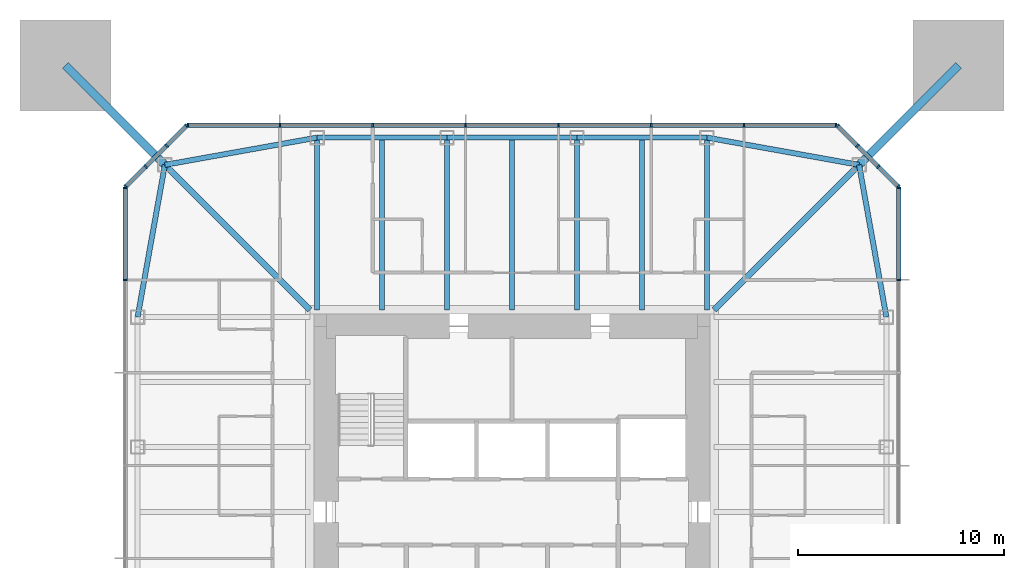
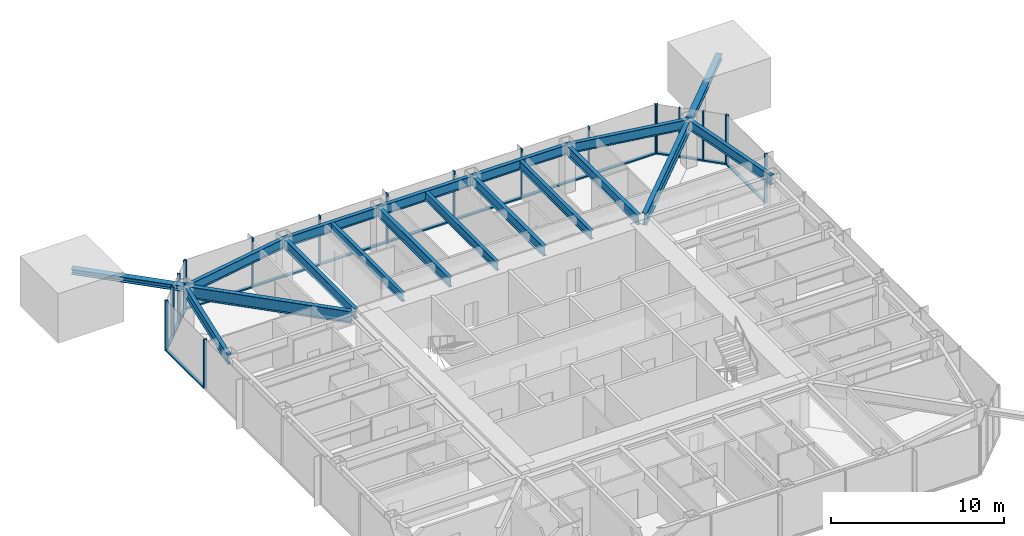
# One storey, part 4 of 11: 37 members, 16 beams, 5 elements without a shape of their own.
"""IFC4 building model written with IfcOpenShell, lengths in metres."""

import ifcopenshell
import ifcopenshell.guid

model = None  # the IFC model being written
_history = None  # IfcOwnerHistory: only IFC2X3 demands one
_inside = {}  # id of a spatial element -> (the spatial element, [elements in it])
_under = {}  # id of a project, library or spatial element -> (it, [spatial elements below it])
_declared = {}  # id of a project -> (the project, [libraries it declares])
_typed = {}  # id of a type object -> (the type object, [elements of that type])
_made_of = {}  # id of a material, layer set ... -> (it, [elements and type objects made of it])


def new_model(schema):
    """Start an empty IFC model of exactly this schema.

    Asked for "IFC4X3", IfcOpenShell would pick the latest addendum, in which some entities
    have other attributes; the version numbers below select the first issue.
    IFC2X3 requires an IfcOwnerHistory on every rooted entity: one is made here for all.
    """
    global model, _history
    if schema == "IFC4X3":
        model = ifcopenshell.file(schema_version=(4, 3, 0, 0))
    else:
        model = ifcopenshell.file(schema=schema)
    _inside.clear()
    _under.clear()
    _declared.clear()
    _typed.clear()
    _made_of.clear()
    _history = None
    if model.schema == "IFC2X3":
        org = make("IfcOrganization", Name="unknown")
        user = make(
            "IfcPersonAndOrganization",
            ThePerson=make("IfcPerson", FamilyName="unknown"),
            TheOrganization=org,
        )
        app = make(
            "IfcApplication",
            ApplicationDeveloper=org,
            Version="unknown",
            ApplicationFullName="unknown",
            ApplicationIdentifier="unknown",
        )
        _history = make(
            "IfcOwnerHistory",
            OwningUser=user,
            OwningApplication=app,
            ChangeAction="ADDED",
            CreationDate=0,
        )
    return model


def make(cls, **values):
    """One entity of the class cls with the attributes given. An attribute that is None is left unset."""
    return model.create_entity(
        cls, **{name: value for name, value in values.items() if value is not None}
    )


def rooted(cls, **values):
    """An entity with a GlobalId (a new one), such as an element, a storey or a relation."""
    return make(cls, GlobalId=ifcopenshell.guid.new(), OwnerHistory=_history, **values)


def si_unit(unit_type, name, prefix=None):
    """IfcSIUnit, for example si_unit("LENGTHUNIT", "METRE", prefix="MILLI")."""
    return make("IfcSIUnit", UnitType=unit_type, Prefix=prefix, Name=name)


def assignment(units):
    """IfcUnitAssignment: the units of a project."""
    return None if units is None else make("IfcUnitAssignment", Units=units)


def point(xyz):
    """IfcCartesianPoint."""
    return None if xyz is None else make("IfcCartesianPoint", Coordinates=xyz)


def direction(xyz):
    """IfcDirection."""
    return None if xyz is None else make("IfcDirection", DirectionRatios=xyz)


def frame(location, z_axis=None, x_axis=None):
    """IfcAxis2Placement3D, a coordinate frame: its origin and axes. An axis left out is left unset."""
    return make(
        "IfcAxis2Placement3D",
        Location=point(location),
        Axis=direction(z_axis),
        RefDirection=direction(x_axis),
    )


def frame_2d(location, x_axis=None):
    """IfcAxis2Placement2D, a coordinate frame in the plane: its origin and x axis."""
    return make(
        "IfcAxis2Placement2D", Location=point(location), RefDirection=direction(x_axis)
    )


def origin():
    """The frame at (0, 0, 0) with its axes left unset."""
    return frame((0.0, 0.0, 0.0))


def origin_2d():
    """The frame at (0, 0) in the plane with its x axis left unset."""
    return frame_2d((0.0, 0.0))


def place(relative_to, where):
    """IfcLocalPlacement: puts the frame where relative to a parent placement (None: the world)."""
    return make(
        "IfcLocalPlacement", PlacementRelTo=relative_to, RelativePlacement=where
    )


def context(
    kind, dimensions, precision=None, world=None, true_north=None, identifier=None
):
    """IfcGeometricRepresentationContext, for example the 3D "Model" context."""
    return make(
        "IfcGeometricRepresentationContext",
        ContextIdentifier=identifier,
        ContextType=kind,
        CoordinateSpaceDimension=dimensions,
        Precision=precision,
        WorldCoordinateSystem=world,
        TrueNorth=true_north,
    )


def subcontext(parent, identifier, kind, view, scale=None):
    """IfcGeometricRepresentationSubContext, for example "Body" below "Model"."""
    return make(
        "IfcGeometricRepresentationSubContext",
        ContextIdentifier=identifier,
        ContextType=kind,
        ParentContext=parent,
        TargetScale=scale,
        TargetView=view,
    )


def project(units=None, contexts=None):
    """IfcProject with its units and contexts."""
    return rooted(
        "IfcProject",
        Name="project",
        RepresentationContexts=contexts,
        UnitsInContext=assignment(units),
    )


def spatial(cls, under=None, at=None, **own):
    """A site, building, storey or space (cls), placed at a placement, below another one or the project."""
    s = rooted(cls, ObjectPlacement=at, **own)
    if under is not None:
        _under.setdefault(under.id(), (under, []))[1].append(s)
    return s


def profile(cls, at=None, kind="AREA", **sizes):
    """A parametric profile (cls). Its sizes go by their IFC names, for example OverallWidth=200.0."""
    return make(cls, ProfileType=kind, Position=at, **sizes)


def rectangle(**sizes):
    """IfcRectangleProfileDef."""
    return profile("IfcRectangleProfileDef", **sizes)


def i_section(**sizes):
    """IfcIShapeProfileDef."""
    return profile("IfcIShapeProfileDef", **sizes)


def extrude(swept, where, along, depth):
    """IfcExtrudedAreaSolid: the profile swept, set in the frame where, extruded along a direction by depth."""
    return make(
        "IfcExtrudedAreaSolid",
        SweptArea=swept,
        Position=where,
        ExtrudedDirection=direction(along),
        Depth=depth,
    )


def shape(context_of_items, identifier, shape_type, items):
    """IfcShapeRepresentation: the items that make up one representation, for example the "Body"."""
    return make(
        "IfcShapeRepresentation",
        ContextOfItems=context_of_items,
        RepresentationIdentifier=identifier,
        RepresentationType=shape_type,
        Items=items,
    )


def material(Name=None, Category=None):
    """IfcMaterial."""
    return make("IfcMaterial", Name=Name, Category=Category)


def material_profile(
    of_material, cross_section, Name=None, Category=None, Priority=None
):
    """IfcMaterialProfile: a cross section and its material."""
    return make(
        "IfcMaterialProfile",
        Name=Name,
        Material=of_material,
        Profile=cross_section,
        Priority=Priority,
        Category=Category,
    )


def profile_set(profiles, Name=None, composite=None):
    """IfcMaterialProfileSet."""
    return make(
        "IfcMaterialProfileSet",
        Name=Name,
        MaterialProfiles=profiles,
        CompositeProfile=composite,
    )


def made_of(thing, what):
    """Note that an element or type object is made of a material, layer set ...; save() writes the relation."""
    if what is not None:
        _made_of.setdefault(what.id(), (what, []))[1].append(thing)
    return thing


def type_object(cls, material=None, **own):
    """A type object (cls), such as IfcWallType, which elements share."""
    return made_of(rooted(cls, **own), material)


def element(
    cls,
    number,
    at=None,
    inside=None,
    cuts=None,
    type_object=None,
    material=None,
    context=None,
    identifier="Body",
    shape_type=None,
    held_by="IfcProductDefinitionShape",
    body=None,
    shapes=None,
    **own,
):
    """One element of the class cls, such as IfcWall. Its Tag is "e" and its number.

    at: its placement. inside: the storey or other place that contains it. cuts: it is an
    opening in that element (IfcRelVoidsElement). A single representation is given by context,
    identifier, shape_type and body (its items); several are given by shapes. held_by: the class
    of the entity that holds the representations. save() writes the other relations.
    """
    e = rooted(cls, Tag="e%d" % number, ObjectPlacement=at, **own)
    if body is not None:
        shapes = [shape(context, identifier, shape_type, body)]
    if shapes is not None:
        e.Representation = make(held_by, Representations=shapes)
    if inside is not None:
        _inside.setdefault(inside.id(), (inside, []))[1].append(e)
    if cuts is not None:
        rooted(
            "IfcRelVoidsElement", RelatingBuildingElement=cuts, RelatedOpeningElement=e
        )
    if type_object is not None:
        _typed.setdefault(type_object.id(), (type_object, []))[1].append(e)
    return made_of(e, material)


def aggregate(whole, parts):
    """IfcRelAggregates: a whole, such as a stair, and the parts it consists of."""
    return rooted("IfcRelAggregates", RelatingObject=whole, RelatedObjects=parts)


def save(model, path):
    """Write the relations noted so far, then the file.

    IfcRelAggregates (storeys below a building ...), IfcRelContainedInSpatialStructure (elements
    in a storey), IfcRelDefinesByType, IfcRelAssociatesMaterial and IfcRelDeclares: one each for
    every whole, place, type object, material and project.
    """
    for whole, parts in _under.values():
        aggregate(whole, parts)
    for where, things in _inside.values():
        rooted(
            "IfcRelContainedInSpatialStructure",
            RelatedElements=things,
            RelatingStructure=where,
        )
    for kind, things in _typed.values():
        rooted("IfcRelDefinesByType", RelatedObjects=things, RelatingType=kind)
    for what, things in _made_of.values():
        rooted("IfcRelAssociatesMaterial", RelatedObjects=things, RelatingMaterial=what)
    for by, libraries in _declared.values():
        rooted("IfcRelDeclares", RelatingContext=by, RelatedDefinitions=libraries)
    model.write(path)


model = new_model("IFC4")

# Units and contexts
model_context = context("Model", 3, precision=1e-05, world=origin(), true_north=direction((0.0, 1.0)))
body_context = subcontext(model_context, "Body", "Model", "MODEL_VIEW")
ifc_project = project(units=[si_unit("LENGTHUNIT", "METRE"), si_unit("AREAUNIT", "SQUARE_METRE"), si_unit("VOLUMEUNIT", "CUBIC_METRE"), si_unit("PLANEANGLEUNIT", "RADIAN"), si_unit("MASSUNIT", "GRAM", prefix="KILO")], contexts=[model_context])

# Site, building, storey
site_placement = place(None, origin())
site = spatial("IfcSite", under=ifc_project, at=site_placement, CompositionType="ELEMENT")
building_placement = place(site_placement, origin())
building = spatial("IfcBuilding", under=site, at=building_placement, Name="Iwan Alto Co-Living Towers", CompositionType="ELEMENT")
storey_placement = place(building_placement, frame((0.0, 0.0, 156.5)))
storey = spatial("IfcBuildingStorey", under=building, at=storey_placement, Name="L42", CompositionType="ELEMENT", Elevation=156.5)

# Curtain wall, members
ifc_material_1 = material(Name="Bronze aluminium unitised frame", Category="aluminium")
curtain_wall_type_1 = type_object("IfcCurtainWallType", Name="CURTAIN WALL CW-A", PredefinedType="NOTDEFINED", material=ifc_material_1)
curtain_wall_1_placement = place(storey_placement, origin())
curtain_wall_1 = element("IfcCurtainWall", 1, at=curtain_wall_1_placement, inside=storey, type_object=curtain_wall_type_1, Name="T1 curtain wall E L42", PredefinedType="NOTDEFINED")
ifc_material_2 = material(Name="Aluminium 6063-T6 bronze anodised", Category="aluminium")
ifc_material_profile_1 = material_profile(ifc_material_2, rectangle(XDim=0.199951171875, YDim=0.080078125, at=origin_2d()), Name="AL 80X200")
ifc_profile_set_1 = profile_set([ifc_material_profile_1], Name="Aluminium 6063-T6 bronze anodised")
member_type_1 = type_object("IfcMemberType", Name="CW-A MULLION 80X200", PredefinedType="MULLION", material=ifc_profile_set_1)
member_1_placement = place(storey_placement, frame((18.75, 11.25, 0.0), z_axis=(0.0, 0.0, 1.0), x_axis=(-1.0, 0.0, 0.0)))
member_1 = element("IfcMember", 2, at=member_1_placement, type_object=member_type_1, Name="CW-A mullion 7", PredefinedType="MULLION", context=body_context, shape_type="SweptSolid", body=[
    extrude(rectangle(XDim=0.199951171875, YDim=0.080078125, at=origin_2d()), origin(), (0.0, 0.0, 1.0), 3.5),
])
member_2_placement = place(storey_placement, frame((18.75, 15.7099609375, 0.0), z_axis=(0.0, 0.0, 1.0), x_axis=(-1.0, 0.0, 0.0)))
member_2 = element("IfcMember", 3, at=member_2_placement, type_object=member_type_1, Name="CW-A mullion 8", PredefinedType="MULLION", context=body_context, shape_type="SweptSolid", body=[
    extrude(rectangle(XDim=0.199951171875, YDim=0.080078125, at=origin_2d()), origin(), (0.0, 0.0, 1.0), 3.5),
])

curtain_wall_2_placement = place(storey_placement, origin())
curtain_wall_2 = element("IfcCurtainWall", 4, at=curtain_wall_2_placement, inside=storey, type_object=curtain_wall_type_1, Name="T1 curtain wall N L42", PredefinedType="NOTDEFINED")
member_3_placement = place(storey_placement, frame((15.7099609375, 18.75, 0.0), z_axis=(0.0, 0.0, 1.0), x_axis=(0.0, -1.0, 0.0)))
member_3 = element("IfcMember", 5, at=member_3_placement, type_object=member_type_1, Name="CW-A mullion 1", PredefinedType="MULLION", context=body_context, shape_type="SweptSolid", body=[
    extrude(rectangle(XDim=0.199951171875, YDim=0.080078125, at=origin_2d()), origin(), (0.0, 0.0, 1.0), 3.5),
])
member_4_placement = place(storey_placement, frame((11.25, 18.75, 0.0), z_axis=(0.0, 0.0, 1.0), x_axis=(0.0, -1.0, 0.0)))
member_4 = element("IfcMember", 6, at=member_4_placement, type_object=member_type_1, Name="CW-A mullion 2", PredefinedType="MULLION", context=body_context, shape_type="SweptSolid", body=[
    extrude(rectangle(XDim=0.199951171875, YDim=0.080078125, at=origin_2d()), origin(), (0.0, 0.0, 1.0), 3.5),
])
member_5_placement = place(storey_placement, frame((6.75, 18.75, 0.0), z_axis=(0.0, 0.0, 1.0), x_axis=(0.0, -1.0, 0.0)))
member_5 = element("IfcMember", 7, at=member_5_placement, type_object=member_type_1, Name="CW-A mullion 3", PredefinedType="MULLION", context=body_context, shape_type="SweptSolid", body=[
    extrude(rectangle(XDim=0.199951171875, YDim=0.080078125, at=origin_2d()), origin(), (0.0, 0.0, 1.0), 3.5),
])
member_6_placement = place(storey_placement, frame((2.25, 18.75, 0.0), z_axis=(0.0, 0.0, 1.0), x_axis=(0.0, -1.0, 0.0)))
member_6 = element("IfcMember", 8, at=member_6_placement, type_object=member_type_1, Name="CW-A mullion 4", PredefinedType="MULLION", context=body_context, shape_type="SweptSolid", body=[
    extrude(rectangle(XDim=0.199951171875, YDim=0.080078125, at=origin_2d()), origin(), (0.0, 0.0, 1.0), 3.5),
])
member_7_placement = place(storey_placement, frame((-2.25, 18.75, 0.0), z_axis=(0.0, 0.0, 1.0), x_axis=(0.0, -1.0, 0.0)))
member_7 = element("IfcMember", 9, at=member_7_placement, type_object=member_type_1, Name="CW-A mullion 5", PredefinedType="MULLION", context=body_context, shape_type="SweptSolid", body=[
    extrude(rectangle(XDim=0.199951171875, YDim=0.080078125, at=origin_2d()), origin(), (0.0, 0.0, 1.0), 3.5),
])
member_8_placement = place(storey_placement, frame((-6.75, 18.75, 0.0), z_axis=(0.0, 0.0, 1.0), x_axis=(0.0, -1.0, 0.0)))
member_8 = element("IfcMember", 10, at=member_8_placement, type_object=member_type_1, Name="CW-A mullion 6", PredefinedType="MULLION", context=body_context, shape_type="SweptSolid", body=[
    extrude(rectangle(XDim=0.199951171875, YDim=0.080078125, at=origin_2d()), origin(), (0.0, 0.0, 1.0), 3.5),
])
member_9_placement = place(storey_placement, frame((-11.25, 18.75, 0.0), z_axis=(0.0, 0.0, 1.0), x_axis=(0.0, -1.0, 0.0)))
member_9 = element("IfcMember", 11, at=member_9_placement, type_object=member_type_1, Name="CW-A mullion 7", PredefinedType="MULLION", context=body_context, shape_type="SweptSolid", body=[
    extrude(rectangle(XDim=0.199951171875, YDim=0.080078125, at=origin_2d()), origin(), (0.0, 0.0, 1.0), 3.5),
])
member_10_placement = place(storey_placement, frame((-15.7099609375, 18.75, 0.0), z_axis=(0.0, 0.0, 1.0), x_axis=(0.0, -1.0, 0.0)))
member_10 = element("IfcMember", 12, at=member_10_placement, type_object=member_type_1, Name="CW-A mullion 8", PredefinedType="MULLION", context=body_context, shape_type="SweptSolid", body=[
    extrude(rectangle(XDim=0.199951171875, YDim=0.080078125, at=origin_2d()), origin(), (0.0, 0.0, 1.0), 3.5),
])

curtain_wall_3_placement = place(storey_placement, origin())
curtain_wall_3 = element("IfcCurtainWall", 13, at=curtain_wall_3_placement, inside=storey, type_object=curtain_wall_type_1, Name="T1 curtain wall W L42", PredefinedType="NOTDEFINED")
member_11_placement = place(storey_placement, frame((-18.75, 15.7099609375, 0.0), z_axis=(0.0, 0.0, 1.0), x_axis=(1.0, 0.0, 0.0)))
member_11 = element("IfcMember", 14, at=member_11_placement, type_object=member_type_1, Name="CW-A mullion 1", PredefinedType="MULLION", context=body_context, shape_type="SweptSolid", body=[
    extrude(rectangle(XDim=0.199951171875, YDim=0.080078125, at=origin_2d()), origin(), (0.0, 0.0, 1.0), 3.5),
])
member_12_placement = place(storey_placement, frame((-18.75, 11.25, 0.0), z_axis=(0.0, 0.0, 1.0), x_axis=(1.0, 0.0, 0.0)))
member_12 = element("IfcMember", 15, at=member_12_placement, type_object=member_type_1, Name="CW-A mullion 2", PredefinedType="MULLION", context=body_context, shape_type="SweptSolid", body=[
    extrude(rectangle(XDim=0.199951171875, YDim=0.080078125, at=origin_2d()), origin(), (0.0, 0.0, 1.0), 3.5),
])

# Member
ifc_material_3 = material(Name="Aluminium 6063-T6 bronze anodised", Category="aluminium")
ifc_material_profile_2 = material_profile(ifc_material_3, rectangle(XDim=0.199951171875, YDim=0.10009765625, at=origin_2d()), Name="AL 200X100")
ifc_profile_set_2 = profile_set([ifc_material_profile_2], Name="Aluminium 6063-T6 bronze anodised")
member_type_2 = type_object("IfcMemberType", Name="CW-A TRANSOM 200X100", PredefinedType="USERDEFINED", material=ifc_profile_set_2)
member_13_placement = place(storey_placement, frame((18.75, 11.2900390625, 0.050048828125), z_axis=(0.0, 1.0, 0.0), x_axis=(-1.0, 0.0, 0.0)))
member_13 = element("IfcMember", 16, at=member_13_placement, type_object=member_type_2, Name="CW-A transom 7.1", ObjectType="TRANSOM", PredefinedType="USERDEFINED", context=body_context, shape_type="SweptSolid", body=[
    extrude(rectangle(XDim=0.199951171875, YDim=0.10009765625, at=origin_2d()), origin(), (0.0, 0.0, 1.0), 4.3798828125),
])

aggregate(curtain_wall_1, [member_1, member_2, member_13])

member_14_placement = place(storey_placement, frame((15.669921875, 18.75, 0.050048828125), z_axis=(-1.0, 0.0, 0.0), x_axis=(0.0, -1.0, 0.0)))
member_14 = element("IfcMember", 17, at=member_14_placement, type_object=member_type_2, Name="CW-A transom 1.1", ObjectType="TRANSOM", PredefinedType="USERDEFINED", context=body_context, shape_type="SweptSolid", body=[
    extrude(rectangle(XDim=0.199951171875, YDim=0.10009765625, at=origin_2d()), origin(), (0.0, 0.0, 1.0), 4.3798828125),
])

member_15_placement = place(storey_placement, frame((11.2099609375, 18.75, 0.050048828125), z_axis=(-1.0, 0.0, 0.0), x_axis=(0.0, -1.0, 0.0)))
member_15 = element("IfcMember", 18, at=member_15_placement, type_object=member_type_2, Name="CW-A transom 2.1", ObjectType="TRANSOM", PredefinedType="USERDEFINED", context=body_context, shape_type="SweptSolid", body=[
    extrude(rectangle(XDim=0.199951171875, YDim=0.10009765625, at=origin_2d()), origin(), (0.0, 0.0, 1.0), 4.419921875),
])

member_16_placement = place(storey_placement, frame((6.7099609375, 18.75, 0.050048828125), z_axis=(-1.0, 0.0, 0.0), x_axis=(0.0, -1.0, 0.0)))
member_16 = element("IfcMember", 19, at=member_16_placement, type_object=member_type_2, Name="CW-A transom 3.1", ObjectType="TRANSOM", PredefinedType="USERDEFINED", context=body_context, shape_type="SweptSolid", body=[
    extrude(rectangle(XDim=0.199951171875, YDim=0.10009765625, at=origin_2d()), origin(), (0.0, 0.0, 1.0), 4.419921875),
])

member_17_placement = place(storey_placement, frame((2.2099609375, 18.75, 0.050048828125), z_axis=(-1.0, 0.0, 0.0), x_axis=(0.0, -1.0, 0.0)))
member_17 = element("IfcMember", 20, at=member_17_placement, type_object=member_type_2, Name="CW-A transom 4.1", ObjectType="TRANSOM", PredefinedType="USERDEFINED", context=body_context, shape_type="SweptSolid", body=[
    extrude(rectangle(XDim=0.199951171875, YDim=0.10009765625, at=origin_2d()), origin(), (0.0, 0.0, 1.0), 4.419921875),
])

member_18_placement = place(storey_placement, frame((-2.2900390625, 18.75, 0.050048828125), z_axis=(-1.0, 0.0, 0.0), x_axis=(0.0, -1.0, 0.0)))
member_18 = element("IfcMember", 21, at=member_18_placement, type_object=member_type_2, Name="CW-A transom 5.1", ObjectType="TRANSOM", PredefinedType="USERDEFINED", context=body_context, shape_type="SweptSolid", body=[
    extrude(rectangle(XDim=0.199951171875, YDim=0.10009765625, at=origin_2d()), origin(), (0.0, 0.0, 1.0), 4.419921875),
])

member_19_placement = place(storey_placement, frame((-6.7900390625, 18.75, 0.050048828125), z_axis=(-1.0, 0.0, 0.0), x_axis=(0.0, -1.0, 0.0)))
member_19 = element("IfcMember", 22, at=member_19_placement, type_object=member_type_2, Name="CW-A transom 6.1", ObjectType="TRANSOM", PredefinedType="USERDEFINED", context=body_context, shape_type="SweptSolid", body=[
    extrude(rectangle(XDim=0.199951171875, YDim=0.10009765625, at=origin_2d()), origin(), (0.0, 0.0, 1.0), 4.419921875),
])

member_20_placement = place(storey_placement, frame((-11.2900390625, 18.75, 0.050048828125), z_axis=(-1.0, 0.0, 0.0), x_axis=(0.0, -1.0, 0.0)))
member_20 = element("IfcMember", 23, at=member_20_placement, type_object=member_type_2, Name="CW-A transom 7.1", ObjectType="TRANSOM", PredefinedType="USERDEFINED", context=body_context, shape_type="SweptSolid", body=[
    extrude(rectangle(XDim=0.199951171875, YDim=0.10009765625, at=origin_2d()), origin(), (0.0, 0.0, 1.0), 4.3798828125),
])

aggregate(curtain_wall_2, [member_3, member_4, member_5, member_6, member_7, member_8, member_9, member_10, member_14, member_15, member_16, member_17, member_18, member_19, member_20])

member_21_placement = place(storey_placement, frame((-18.75, 15.669921875, 0.050048828125), z_axis=(0.0, -1.0, 0.0), x_axis=(1.0, 0.0, 0.0)))
member_21 = element("IfcMember", 24, at=member_21_placement, type_object=member_type_2, Name="CW-A transom 1.1", ObjectType="TRANSOM", PredefinedType="USERDEFINED", context=body_context, shape_type="SweptSolid", body=[
    extrude(rectangle(XDim=0.199951171875, YDim=0.10009765625, at=origin_2d()), origin(), (0.0, 0.0, 1.0), 4.3798828125),
])

aggregate(curtain_wall_3, [member_11, member_12, member_21])

# Curtain wall, members
ifc_material_4 = material(Name="Bronze aluminium unitised frame", Category="aluminium")
curtain_wall_type_2 = type_object("IfcCurtainWallType", Name="CURTAIN WALL CW-B", PredefinedType="NOTDEFINED", material=ifc_material_4)
curtain_wall_4_placement = place(storey_placement, origin())
curtain_wall_4 = element("IfcCurtainWall", 25, at=curtain_wall_4_placement, inside=storey, type_object=curtain_wall_type_2, Name="T1 chamfer curtain wall NE L42", PredefinedType="NOTDEFINED")
ifc_material_5 = material(Name="Aluminium 6063-T6 bronze anodised", Category="aluminium")
ifc_material_profile_3 = material_profile(ifc_material_5, rectangle(XDim=0.199951171875, YDim=0.080078125, at=origin_2d()), Name="AL 80X200")
ifc_profile_set_3 = profile_set([ifc_material_profile_3], Name="Aluminium 6063-T6 bronze anodised")
member_type_3 = type_object("IfcMemberType", Name="CW-B MULLION 80X200", PredefinedType="MULLION", material=ifc_profile_set_3)
member_22_placement = place(storey_placement, frame((18.7216796875, 15.7783203125, 0.0), z_axis=(0.0, 0.0, 1.0), x_axis=(-0.707106781187, -0.707106781187, 0.0)))
member_22 = element("IfcMember", 26, at=member_22_placement, type_object=member_type_3, Name="CW-B mullion 1", PredefinedType="MULLION", context=body_context, shape_type="SweptSolid", body=[
    extrude(rectangle(XDim=0.199951171875, YDim=0.080078125, at=origin_2d()), origin(), (0.0, 0.0, 1.0), 3.5),
])
member_23_placement = place(storey_placement, frame((17.75, 16.75, 0.0), z_axis=(0.0, 0.0, 1.0), x_axis=(-0.707106781187, -0.707106781187, 0.0)))
member_23 = element("IfcMember", 27, at=member_23_placement, type_object=member_type_3, Name="CW-B mullion 2", PredefinedType="MULLION", context=body_context, shape_type="SweptSolid", body=[
    extrude(rectangle(XDim=0.199951171875, YDim=0.080078125, at=origin_2d()), origin(), (0.0, 0.0, 1.0), 3.5),
])
member_24_placement = place(storey_placement, frame((16.75, 17.75, 0.0), z_axis=(0.0, 0.0, 1.0), x_axis=(-0.707106781187, -0.707106781187, 0.0)))
member_24 = element("IfcMember", 28, at=member_24_placement, type_object=member_type_3, Name="CW-B mullion 3", PredefinedType="MULLION", context=body_context, shape_type="SweptSolid", body=[
    extrude(rectangle(XDim=0.199951171875, YDim=0.080078125, at=origin_2d()), origin(), (0.0, 0.0, 1.0), 3.5),
])
member_25_placement = place(storey_placement, frame((15.7783203125, 18.7216796875, 0.0), z_axis=(0.0, 0.0, 1.0), x_axis=(-0.707106781187, -0.707106781187, 0.0)))
member_25 = element("IfcMember", 29, at=member_25_placement, type_object=member_type_3, Name="CW-B mullion 4", PredefinedType="MULLION", context=body_context, shape_type="SweptSolid", body=[
    extrude(rectangle(XDim=0.199951171875, YDim=0.080078125, at=origin_2d()), origin(), (0.0, 0.0, 1.0), 3.5),
])

curtain_wall_5_placement = place(storey_placement, origin())
curtain_wall_5 = element("IfcCurtainWall", 30, at=curtain_wall_5_placement, inside=storey, type_object=curtain_wall_type_2, Name="T1 chamfer curtain wall NW L42", PredefinedType="NOTDEFINED")
member_26_placement = place(storey_placement, frame((-15.7783203125, 18.7216796875, 0.0), z_axis=(0.0, 0.0, 1.0), x_axis=(0.707106781187, -0.707106781187, 0.0)))
member_26 = element("IfcMember", 31, at=member_26_placement, type_object=member_type_3, Name="CW-B mullion 1", PredefinedType="MULLION", context=body_context, shape_type="SweptSolid", body=[
    extrude(rectangle(XDim=0.199951171875, YDim=0.080078125, at=origin_2d()), origin(), (0.0, 0.0, 1.0), 3.5),
])
member_27_placement = place(storey_placement, frame((-16.75, 17.75, 0.0), z_axis=(0.0, 0.0, 1.0), x_axis=(0.707106781187, -0.707106781187, 0.0)))
member_27 = element("IfcMember", 32, at=member_27_placement, type_object=member_type_3, Name="CW-B mullion 2", PredefinedType="MULLION", context=body_context, shape_type="SweptSolid", body=[
    extrude(rectangle(XDim=0.199951171875, YDim=0.080078125, at=origin_2d()), origin(), (0.0, 0.0, 1.0), 3.5),
])
member_28_placement = place(storey_placement, frame((-17.75, 16.75, 0.0), z_axis=(0.0, 0.0, 1.0), x_axis=(0.707106781187, -0.707106781187, 0.0)))
member_28 = element("IfcMember", 33, at=member_28_placement, type_object=member_type_3, Name="CW-B mullion 3", PredefinedType="MULLION", context=body_context, shape_type="SweptSolid", body=[
    extrude(rectangle(XDim=0.199951171875, YDim=0.080078125, at=origin_2d()), origin(), (0.0, 0.0, 1.0), 3.5),
])
member_29_placement = place(storey_placement, frame((-18.7216796875, 15.7783203125, 0.0), z_axis=(0.0, 0.0, 1.0), x_axis=(0.707106781187, -0.707106781187, 0.0)))
member_29 = element("IfcMember", 34, at=member_29_placement, type_object=member_type_3, Name="CW-B mullion 4", PredefinedType="MULLION", context=body_context, shape_type="SweptSolid", body=[
    extrude(rectangle(XDim=0.199951171875, YDim=0.080078125, at=origin_2d()), origin(), (0.0, 0.0, 1.0), 3.5),
])

# Member
ifc_material_6 = material(Name="Aluminium 6063-T6 bronze anodised", Category="aluminium")
ifc_material_profile_4 = material_profile(ifc_material_6, rectangle(XDim=0.199951171875, YDim=0.10009765625, at=origin_2d()), Name="AL 200X100")
ifc_profile_set_4 = profile_set([ifc_material_profile_4], Name="Aluminium 6063-T6 bronze anodised")
member_type_4 = type_object("IfcMemberType", Name="CW-B TRANSOM 200X100", PredefinedType="USERDEFINED", material=ifc_profile_set_4)
member_30_placement = place(storey_placement, frame((18.693359375, 15.806640625, 0.050048828125), z_axis=(-0.707106781187, 0.707106781187, 0.0), x_axis=(-0.707106781187, -0.707106781187, 0.0)))
member_30 = element("IfcMember", 35, at=member_30_placement, type_object=member_type_4, Name="CW-B transom 1.1", ObjectType="TRANSOM", PredefinedType="USERDEFINED", context=body_context, shape_type="SweptSolid", body=[
    extrude(rectangle(XDim=0.199951171875, YDim=0.10009765625, at=origin_2d()), origin(), (0.0, 0.0, 1.0), 1.2939453125),
])

member_31_placement = place(storey_placement, frame((17.7216796875, 16.7783203125, 0.050048828125), z_axis=(-0.707106781187, 0.707106781187, 0.0), x_axis=(-0.707106781187, -0.707106781187, 0.0)))
member_31 = element("IfcMember", 36, at=member_31_placement, type_object=member_type_4, Name="CW-B transom 2.1", ObjectType="TRANSOM", PredefinedType="USERDEFINED", context=body_context, shape_type="SweptSolid", body=[
    extrude(rectangle(XDim=0.199951171875, YDim=0.10009765625, at=origin_2d()), origin(), (0.0, 0.0, 1.0), 1.334228515625),
])

member_32_placement = place(storey_placement, frame((16.7216796875, 17.7783203125, 0.050048828125), z_axis=(-0.707106781187, 0.707106781187, 0.0), x_axis=(-0.707106781187, -0.707106781187, 0.0)))
member_32 = element("IfcMember", 37, at=member_32_placement, type_object=member_type_4, Name="CW-B transom 3.1", ObjectType="TRANSOM", PredefinedType="USERDEFINED", context=body_context, shape_type="SweptSolid", body=[
    extrude(rectangle(XDim=0.199951171875, YDim=0.10009765625, at=origin_2d()), origin(), (0.0, 0.0, 1.0), 1.2939453125),
])

aggregate(curtain_wall_4, [member_22, member_23, member_24, member_25, member_30, member_31, member_32])

member_33_placement = place(storey_placement, frame((-15.806640625, 18.693359375, 0.050048828125), z_axis=(-0.707106781187, -0.707106781187, 0.0), x_axis=(0.707106781187, -0.707106781187, 0.0)))
member_33 = element("IfcMember", 38, at=member_33_placement, type_object=member_type_4, Name="CW-B transom 1.1", ObjectType="TRANSOM", PredefinedType="USERDEFINED", context=body_context, shape_type="SweptSolid", body=[
    extrude(rectangle(XDim=0.199951171875, YDim=0.10009765625, at=origin_2d()), origin(), (0.0, 0.0, 1.0), 1.2939453125),
])

member_34_placement = place(storey_placement, frame((-16.7783203125, 17.7216796875, 0.050048828125), z_axis=(-0.707106781187, -0.707106781187, 0.0), x_axis=(0.707106781187, -0.707106781187, 0.0)))
member_34 = element("IfcMember", 39, at=member_34_placement, type_object=member_type_4, Name="CW-B transom 2.1", ObjectType="TRANSOM", PredefinedType="USERDEFINED", context=body_context, shape_type="SweptSolid", body=[
    extrude(rectangle(XDim=0.199951171875, YDim=0.10009765625, at=origin_2d()), origin(), (0.0, 0.0, 1.0), 1.334228515625),
])

member_35_placement = place(storey_placement, frame((-17.7783203125, 16.7216796875, 0.050048828125), z_axis=(-0.707106781187, -0.707106781187, 0.0), x_axis=(0.707106781187, -0.707106781187, 0.0)))
member_35 = element("IfcMember", 40, at=member_35_placement, type_object=member_type_4, Name="CW-B transom 3.1", ObjectType="TRANSOM", PredefinedType="USERDEFINED", context=body_context, shape_type="SweptSolid", body=[
    extrude(rectangle(XDim=0.199951171875, YDim=0.10009765625, at=origin_2d()), origin(), (0.0, 0.0, 1.0), 1.2939453125),
])

aggregate(curtain_wall_5, [member_26, member_27, member_28, member_29, member_33, member_34, member_35])

# Beams
ifc_material_7 = material(Name="Steel ASTM A992 Gr 50", Category="steel")
ifc_material_profile_5 = material_profile(ifc_material_7, i_section(OverallWidth=0.2919921875, OverallDepth=0.8408203125, WebThickness=0.0146484375, FlangeThickness=0.021728515625, at=origin_2d()), Name="W33X130")
ifc_profile_set_5 = profile_set([ifc_material_profile_5], Name="Steel ASTM A992 Gr 50")
beam_type_1 = type_object("IfcBeamType", Name="T1 CORNER GIRDER W33X130", PredefinedType="BEAM", material=ifc_profile_set_5)
for number, where, z_axis, x_axis, name in (
    (41, (16.82568359375, 16.82568359375, 2.849609375), (-0.707106781187, -0.707106781187, 0.0), (0.707106781187, -0.707106781187, 0.0), "T1 corner girder CNE L43"),
    (42, (-16.82568359375, 16.82568359375, 2.849609375), (0.707106781187, -0.707106781187, 0.0), (0.707106781187, 0.707106781187, 0.0), "T1 corner girder CNW L43"),
):
    element("IfcBeam", number, at=place(storey_placement, frame(where, z_axis=z_axis, x_axis=x_axis)), inside=storey, type_object=beam_type_1, Name=name, PredefinedType="BEAM", context=body_context, shape_type="SweptSolid", body=[
        extrude(i_section(OverallWidth=0.2919921875, OverallDepth=0.8408203125, WebThickness=0.0146484375, FlangeThickness=0.021728515625, at=origin_2d()), origin(), (0.0, 0.0, 1.0), 9.936767578125),
    ])
ifc_material_8 = material(Name="Steel ASTM A992 Gr 50", Category="steel")
ifc_material_profile_6 = material_profile(ifc_material_8, i_section(OverallWidth=0.25390625, OverallDepth=0.683349609375, WebThickness=0.012451171875, FlangeThickness=0.018798828125, at=origin_2d()), Name="W27X94")
ifc_profile_set_6 = profile_set([ifc_material_profile_6], Name="Steel ASTM A992 Gr 50")
beam_type_2 = type_object("IfcBeamType", Name="T1 EDGE BEAM W27X94", PredefinedType="BEAM", material=ifc_profile_set_6)
for number, where, z_axis, x_axis, name in (
    (43, (18.14990234375, 9.449951171875, 2.928466796875), (-0.17671181143, 0.98426263553, 0.0), (-0.98426263553, -0.17671181143, 0.0), "T1 edge beam E4 L43"),
    (44, (16.82568359375, 16.82568359375, 2.928466796875), (-0.98426263553, 0.17671181143, 0.0), (-0.17671181143, -0.98426263553, 0.0), "T1 edge beam CNE L43"),
):
    element("IfcBeam", number, at=place(storey_placement, frame(where, z_axis=z_axis, x_axis=x_axis)), inside=storey, type_object=beam_type_2, Name=name, PredefinedType="BEAM", context=body_context, shape_type="SweptSolid", body=[
        extrude(i_section(OverallWidth=0.25390625, OverallDepth=0.683349609375, WebThickness=0.012451171875, FlangeThickness=0.018798828125, at=origin_2d()), origin(), (0.0, 0.0, 1.0), 7.49365234375),
    ])
beam_1_placement = place(storey_placement, frame((9.449951171875, 18.14990234375, 2.928466796875), z_axis=(-1.0, 0.0, 0.0), x_axis=(0.0, -1.0, 0.0)))
element("IfcBeam", 45, at=beam_1_placement, inside=storey, type_object=beam_type_2, Name="T1 edge beam N1 L43", PredefinedType="BEAM", context=body_context, shape_type="SweptSolid", body=[
    extrude(i_section(OverallWidth=0.25390625, OverallDepth=0.683349609375, WebThickness=0.012451171875, FlangeThickness=0.018798828125, at=origin_2d()), origin(), (0.0, 0.0, 1.0), 6.300048828125),
])
beam_2_placement = place(storey_placement, frame((3.14990234375, 18.14990234375, 2.928466796875), z_axis=(-1.0, 0.0, 0.0), x_axis=(0.0, -1.0, 0.0)))
element("IfcBeam", 46, at=beam_2_placement, inside=storey, type_object=beam_type_2, Name="T1 edge beam N2 L43", PredefinedType="BEAM", context=body_context, shape_type="SweptSolid", body=[
    extrude(i_section(OverallWidth=0.25390625, OverallDepth=0.683349609375, WebThickness=0.012451171875, FlangeThickness=0.018798828125, at=origin_2d()), origin(), (0.0, 0.0, 1.0), 6.2998046875),
])
beam_3_placement = place(storey_placement, frame((-3.14990234375, 18.14990234375, 2.928466796875), z_axis=(-1.0, 0.0, 0.0), x_axis=(0.0, -1.0, 0.0)))
element("IfcBeam", 47, at=beam_3_placement, inside=storey, type_object=beam_type_2, Name="T1 edge beam N3 L43", PredefinedType="BEAM", context=body_context, shape_type="SweptSolid", body=[
    extrude(i_section(OverallWidth=0.25390625, OverallDepth=0.683349609375, WebThickness=0.012451171875, FlangeThickness=0.018798828125, at=origin_2d()), origin(), (0.0, 0.0, 1.0), 6.300048828125),
])
for number, where, z_axis, x_axis, name in (
    (48, (-9.449951171875, 18.14990234375, 2.928466796875), (-0.98426263553, -0.17671181143, 0.0), (0.17671181143, -0.98426263553, 0.0), "T1 edge beam N4 L43"),
    (49, (-16.82568359375, 16.82568359375, 2.928466796875), (-0.17671181143, -0.98426263553, 0.0), (0.98426263553, -0.17671181143, 0.0), "T1 edge beam CNW L43"),
):
    element("IfcBeam", number, at=place(storey_placement, frame(where, z_axis=z_axis, x_axis=x_axis)), inside=storey, type_object=beam_type_2, Name=name, PredefinedType="BEAM", context=body_context, shape_type="SweptSolid", body=[
        extrude(i_section(OverallWidth=0.25390625, OverallDepth=0.683349609375, WebThickness=0.012451171875, FlangeThickness=0.018798828125, at=origin_2d()), origin(), (0.0, 0.0, 1.0), 7.49365234375),
    ])

# Members
ifc_material_9 = material(Name="Steel ASTM A992 Gr 50", Category="steel")
ifc_material_profile_7 = material_profile(ifc_material_9, i_section(OverallWidth=0.393798828125, OverallDepth=0.3759765625, WebThickness=0.017333984375, FlangeThickness=0.027587890625, at=origin_2d()), Name="W14X145")
ifc_profile_set_7 = profile_set([ifc_material_profile_7], Name="Steel ASTM A992 Gr 50")
member_type_5 = type_object("IfcMemberType", Name="T1 MEGA COLUMN FLOOR TIE W14X145", PredefinedType="STRUT", material=ifc_profile_set_7)
for number, where, z_axis, x_axis, name in (
    (50, (21.64990234375, 21.64990234375, 3.08203125), (-0.707106781187, -0.707106781187, 0.0), (0.707106781187, -0.707106781187, 0.0), "T1 mega column floor tie NE L43"),
    (51, (-21.64990234375, 21.64990234375, 3.08203125), (0.707106781187, -0.707106781187, 0.0), (0.707106781187, 0.707106781187, 0.0), "T1 mega column floor tie NW L43"),
):
    element("IfcMember", number, at=place(storey_placement, frame(where, z_axis=z_axis, x_axis=x_axis)), inside=storey, type_object=member_type_5, Name=name, PredefinedType="STRUT", context=body_context, shape_type="SweptSolid", body=[
        extrude(i_section(OverallWidth=0.393798828125, OverallDepth=0.3759765625, WebThickness=0.017333984375, FlangeThickness=0.027587890625, at=origin_2d()), origin(), (0.0, 0.0, 1.0), 6.822509765625),
    ])

# Beams
ifc_material_10 = material(Name="Steel ASTM A992 Gr 50", Category="steel")
ifc_material_profile_8 = material_profile(ifc_material_10, i_section(OverallWidth=0.25390625, OverallDepth=0.683349609375, WebThickness=0.012451171875, FlangeThickness=0.018798828125, at=origin_2d()), Name="W27X94")
ifc_profile_set_8 = profile_set([ifc_material_profile_8], Name="Steel ASTM A992 Gr 50")
beam_type_3 = type_object("IfcBeamType", Name="T1 RADIAL BEAM W27X94", PredefinedType="BEAM", material=ifc_profile_set_8)
for number, where, z_axis, x_axis, name in (
    (52, (9.449951171875, 18.14990234375, 2.928466796875), (0.0, -1.0, 0.0), (1.0, 0.0, 0.0), "T1 radial beam N1 L43"),
    (53, (3.14990234375, 18.14990234375, 2.928466796875), (0.0, -1.0, 0.0), (1.0, 0.0, 0.0), "T1 radial beam N2 L43"),
    (54, (-3.14990234375, 18.14990234375, 2.928466796875), (0.0, -1.0, 0.0), (1.0, 0.0, 0.0), "T1 radial beam N3 L43"),
    (55, (-9.449951171875, 18.14990234375, 2.928466796875), (0.0, -1.0, 0.0), (1.0, 0.0, 0.0), "T1 radial beam N4 L43"),
):
    element("IfcBeam", number, at=place(storey_placement, frame(where, z_axis=z_axis, x_axis=x_axis)), inside=storey, type_object=beam_type_3, Name=name, PredefinedType="BEAM", context=body_context, shape_type="SweptSolid", body=[
        extrude(i_section(OverallWidth=0.25390625, OverallDepth=0.683349609375, WebThickness=0.012451171875, FlangeThickness=0.018798828125, at=origin_2d()), origin(), (0.0, 0.0, 1.0), 8.3505859375),
    ])
ifc_material_11 = material(Name="Steel ASTM A992 Gr 50", Category="steel")
ifc_material_profile_9 = material_profile(ifc_material_11, i_section(OverallWidth=0.228271484375, OverallDepth=0.607177734375, WebThickness=0.01123046875, FlangeThickness=0.017333984375, at=origin_2d()), Name="W24X76")
ifc_profile_set_9 = profile_set([ifc_material_profile_9], Name="Steel ASTM A992 Gr 50")
beam_type_4 = type_object("IfcBeamType", Name="T1 SECONDARY BEAM W24X76", PredefinedType="JOIST", material=ifc_profile_set_9)
for number, where, z_axis, x_axis, name in (
    (56, (6.300048828125, 18.14990234375, 2.966552734375), (0.0, -1.0, 0.0), (1.0, 0.0, 0.0), "T1 secondary beam N1 L43"),
    (57, (0.0, 18.14990234375, 2.966552734375), (0.0, -1.0, 0.0), (1.0, 0.0, 0.0), "T1 secondary beam N2 L43"),
    (58, (-6.300048828125, 18.14990234375, 2.966552734375), (0.0, -1.0, 0.0), (1.0, 0.0, 0.0), "T1 secondary beam N3 L43"),
):
    element("IfcBeam", number, at=place(storey_placement, frame(where, z_axis=z_axis, x_axis=x_axis)), inside=storey, type_object=beam_type_4, Name=name, PredefinedType="JOIST", context=body_context, shape_type="SweptSolid", body=[
        extrude(i_section(OverallWidth=0.228271484375, OverallDepth=0.607177734375, WebThickness=0.01123046875, FlangeThickness=0.017333984375, at=origin_2d()), origin(), (0.0, 0.0, 1.0), 8.3505859375),
    ])

save(model, "model.ifc")
